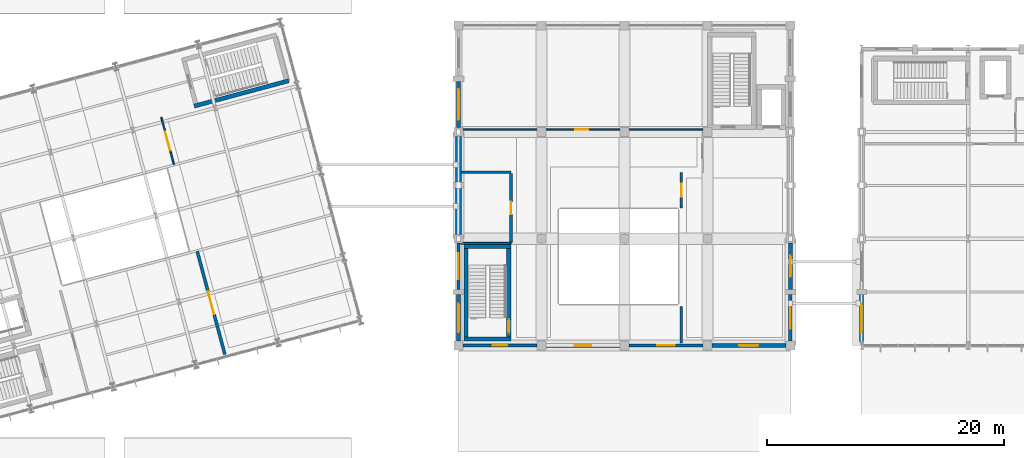
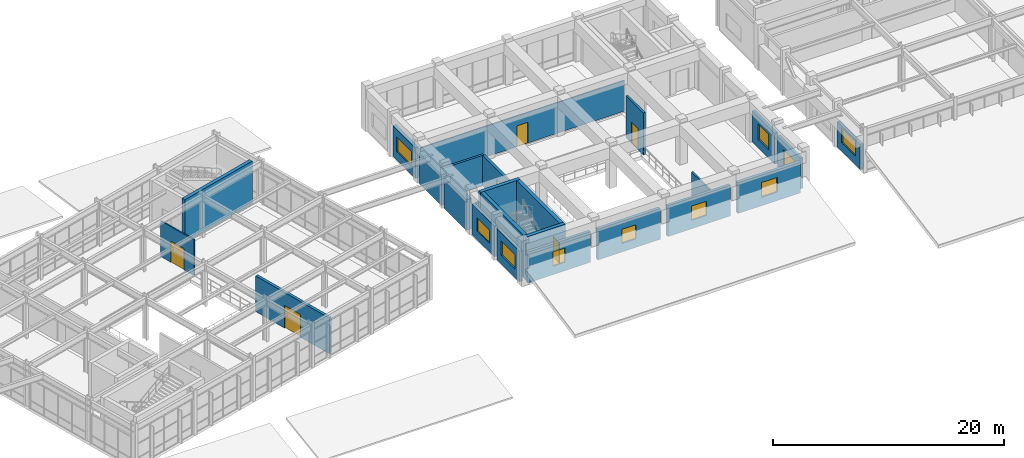
# One storey, part 84 of 104: 25 walls, 10 windows, 6 doors, 16 openings.
"""IFC4 building model written with IfcOpenShell, lengths in metres."""

from ifc_helpers import new_model, si_unit, direction, frame, frame_2d, origin, place, context, subcontext, project, spatial, rectangle, extrude, material, layer, layer_set, type_object, element, fill, save


model = new_model("IFC4")

# Units and contexts
model_context = context("Model", 3, precision=1e-05, world=origin(), true_north=direction((0.0, 1.0)))
body_context = subcontext(model_context, "Body", "Model", "MODEL_VIEW")
ifc_project = project(units=[si_unit("LENGTHUNIT", "METRE"), si_unit("AREAUNIT", "SQUARE_METRE"), si_unit("VOLUMEUNIT", "CUBIC_METRE"), si_unit("PLANEANGLEUNIT", "RADIAN"), si_unit("MASSUNIT", "GRAM", prefix="KILO")], contexts=[model_context])

# Site, building, storey
site_placement = place(None, origin())
site = spatial("IfcSite", under=ifc_project, at=site_placement, CompositionType="ELEMENT")
building_placement = place(site_placement, origin())
building = spatial("IfcBuilding", under=site, at=building_placement, Name="Ventoquebrada Cableway Terminal", CompositionType="ELEMENT")
storey_placement = place(building_placement, frame((0.0, 0.0, 4.800048828125)))
storey = spatial("IfcBuildingStorey", under=building, at=storey_placement, Name="L01", CompositionType="ELEMENT", Elevation=4.800048828125)

# Wall, opening, window
ifc_material_1 = material(Name="Precast architectural concrete C40/50", Category="concrete")
ifc_layer_1 = layer(ifc_material_1, 0.280029296875)
ifc_layer_set_1 = layer_set([ifc_layer_1], Name="Precast architectural concrete C40/50")
wall_type_1 = type_object("IfcWallType", Name="WL-EX1", PredefinedType="SOLIDWALL", material=ifc_layer_set_1)
wall_1_placement = place(storey_placement, frame((95.3701171875, 77.0, 0.0), z_axis=(0.0, 0.0, 1.0), x_axis=(1.0, 0.0, 0.0)))
wall_1 = element("IfcWall", 1, at=wall_1_placement, inside=storey, type_object=wall_type_1, Name="Exterior architectural wall EW-0203", PredefinedType="SOLIDWALL", context=body_context, shape_type="SweptSolid", body=[
    extrude(rectangle(XDim=6.259765625, YDim=0.280029296875, at=frame_2d((3.1298828125, 0.0))), origin(), (0.0, 0.0, 1.0), 3.244873046875),
])
opening_1_placement = place(wall_1_placement, frame((2.530029296875, 0.0, 0.89990234375)))
opening_1 = element("IfcOpeningElement", 2, at=opening_1_placement, cuts=wall_1, Name="Opening WN-101", PredefinedType="OPENING", context=body_context, shape_type="SweptSolid", body=[
    extrude(rectangle(XDim=1.199951171875, YDim=1.5, at=frame_2d((0.60009765625, 0.75))), frame((0.0, 0.14990234375, 0.0), z_axis=(0.0, -1.0, 0.0), x_axis=(1.0, 0.0, 0.0)), (0.0, 0.0, 1.0), 0.300048828125),
])
ifc_material_2 = material(Name="Double low-e laminated safety glazing", Category="glass")
window_type_1 = type_object("IfcWindowType", Name="WT-01", PartitioningType="SINGLE_PANEL", PredefinedType="WINDOW", material=ifc_material_2)
window_1_placement = place(opening_1_placement, origin())
window_1 = element("IfcWindow", 3, at=window_1_placement, inside=storey, type_object=window_type_1, Name="Architectural punched window WN-101", OverallHeight=1.5, OverallWidth=1.199951171875, PartitioningType="SINGLE_PANEL", PredefinedType="WINDOW", context=body_context, shape_type="SweptSolid", body=[
    extrude(rectangle(XDim=1.199951171875, YDim=1.5, at=frame_2d((0.60009765625, 0.75))), frame((0.0, 0.030029296875, 0.0), z_axis=(0.0, -1.0, 0.0), x_axis=(1.0, 0.0, 0.0)), (0.0, 0.0, 1.0), 0.06005859375),
])
fill(opening_1, window_1)

wall_2_placement = place(storey_placement, frame((109.3701171875, 77.0, 0.0), z_axis=(0.0, 0.0, 1.0), x_axis=(1.0, 0.0, 0.0)))
wall_2 = element("IfcWall", 4, at=wall_2_placement, inside=storey, type_object=wall_type_1, Name="Exterior architectural wall EW-0205", PredefinedType="SOLIDWALL", context=body_context, shape_type="SweptSolid", body=[
    extrude(rectangle(XDim=6.259765625, YDim=0.280029296875, at=frame_2d((3.1298828125, 0.0))), origin(), (0.0, 0.0, 1.0), 3.244873046875),
])
opening_2_placement = place(wall_2_placement, frame((2.3798828125, 0.0, 0.89990234375)))
opening_2 = element("IfcOpeningElement", 5, at=opening_2_placement, cuts=wall_2, Name="Opening WN-103", PredefinedType="OPENING", context=body_context, shape_type="SweptSolid", body=[
    extrude(rectangle(XDim=1.5, YDim=1.5, at=frame_2d((0.75, 0.75))), frame((0.0, 0.14990234375, 0.0), z_axis=(0.0, -1.0, 0.0), x_axis=(1.0, 0.0, 0.0)), (0.0, 0.0, 1.0), 0.300048828125),
])
window_type_2 = type_object("IfcWindowType", Name="WT-03", PartitioningType="SINGLE_PANEL", PredefinedType="WINDOW", material=ifc_material_2)
window_2_placement = place(opening_2_placement, origin())
window_2 = element("IfcWindow", 6, at=window_2_placement, inside=storey, type_object=window_type_2, Name="Architectural punched window WN-103", OverallHeight=1.5, OverallWidth=1.5, PartitioningType="SINGLE_PANEL", PredefinedType="WINDOW", context=body_context, shape_type="SweptSolid", body=[
    extrude(rectangle(XDim=1.5, YDim=1.5, at=frame_2d((0.75, 0.75))), frame((0.0, 0.030029296875, 0.0), z_axis=(0.0, -1.0, 0.0), x_axis=(1.0, 0.0, 0.0)), (0.0, 0.0, 1.0), 0.06005859375),
])
fill(opening_2, window_2)

wall_3_placement = place(storey_placement, frame((123.0, 77.3701171875, 0.0), z_axis=(0.0, 0.0, 1.0), x_axis=(0.0, 1.0, 0.0)))
wall_3 = element("IfcWall", 7, at=wall_3_placement, inside=storey, type_object=wall_type_1, Name="Exterior architectural wall EW-0207", PredefinedType="SOLIDWALL", context=body_context, shape_type="SweptSolid", body=[
    extrude(rectangle(XDim=3.909912109375, YDim=0.280029296875, at=frame_2d((1.955078125, 0.0))), origin(), (0.0, 0.0, 1.0), 3.244873046875),
])
opening_3_placement = place(wall_3_placement, frame((1.054931640625, 0.0, 0.89990234375)))
opening_3 = element("IfcOpeningElement", 8, at=opening_3_placement, cuts=wall_3, Name="Opening WN-105", PredefinedType="OPENING", context=body_context, shape_type="SweptSolid", body=[
    extrude(rectangle(XDim=1.800048828125, YDim=1.5, at=frame_2d((0.89990234375, 0.75))), frame((0.0, 0.14990234375, 0.0), z_axis=(0.0, -1.0, 0.0), x_axis=(1.0, 0.0, 0.0)), (0.0, 0.0, 1.0), 0.300048828125),
])
window_type_3 = type_object("IfcWindowType", Name="WT-05", PartitioningType="SINGLE_PANEL", PredefinedType="WINDOW", material=ifc_material_2)
window_3_placement = place(opening_3_placement, origin())
window_3 = element("IfcWindow", 9, at=window_3_placement, inside=storey, type_object=window_type_3, Name="Architectural punched window WN-105", OverallHeight=1.5, OverallWidth=1.800048828125, PartitioningType="SINGLE_PANEL", PredefinedType="WINDOW", context=body_context, shape_type="SweptSolid", body=[
    extrude(rectangle(XDim=1.800048828125, YDim=1.5, at=frame_2d((0.89990234375, 0.75))), frame((0.0, 0.030029296875, 0.0), z_axis=(0.0, -1.0, 0.0), x_axis=(1.0, 0.0, 0.0)), (0.0, 0.0, 1.0), 0.06005859375),
])
fill(opening_3, window_3)

wall_4_placement = place(storey_placement, frame((95.0, 85.6298828125, 0.0), z_axis=(0.0, 0.0, 1.0), x_axis=(0.0, -1.0, 0.0)))
wall_4 = element("IfcWall", 10, at=wall_4_placement, inside=storey, type_object=wall_type_1, Name="Exterior architectural wall EW-0213", PredefinedType="SOLIDWALL", context=body_context, shape_type="SweptSolid", body=[
    extrude(rectangle(XDim=3.909912109375, YDim=0.280029296875, at=frame_2d((1.955078125, 0.0))), origin(), (0.0, 0.0, 1.0), 3.244873046875),
])
opening_4_placement = place(wall_4_placement, frame((0.85498046875, 0.0, 0.89990234375)))
opening_4 = element("IfcOpeningElement", 11, at=opening_4_placement, cuts=wall_4, Name="Opening WN-109", PredefinedType="OPENING", context=body_context, shape_type="SweptSolid", body=[
    extrude(rectangle(XDim=2.199951171875, YDim=1.39990234375, at=frame_2d((1.10009765625, 0.699951171875))), frame((0.0, 0.14990234375, 0.0), z_axis=(0.0, -1.0, 0.0), x_axis=(1.0, 0.0, 0.0)), (0.0, 0.0, 1.0), 0.300048828125),
])
window_type_4 = type_object("IfcWindowType", Name="WT-09", PartitioningType="SINGLE_PANEL", PredefinedType="WINDOW", material=ifc_material_2)
window_4_placement = place(opening_4_placement, origin())
window_4 = element("IfcWindow", 12, at=window_4_placement, inside=storey, type_object=window_type_4, Name="Architectural punched window WN-109", OverallHeight=1.39990234375, OverallWidth=2.199951171875, PartitioningType="SINGLE_PANEL", PredefinedType="WINDOW", context=body_context, shape_type="SweptSolid", body=[
    extrude(rectangle(XDim=2.199951171875, YDim=1.39990234375, at=frame_2d((1.10009765625, 0.699951171875))), frame((0.0, 0.030029296875, 0.0), z_axis=(0.0, -1.0, 0.0), x_axis=(1.0, 0.0, 0.0)), (0.0, 0.0, 1.0), 0.06005859375),
])
fill(opening_4, window_4)

ifc_layer_2 = layer(ifc_material_1, 0.320068359375)
ifc_layer_set_2 = layer_set([ifc_layer_2], Name="Precast architectural concrete C40/50")
wall_type_2 = type_object("IfcWallType", Name="WL-EX2", PredefinedType="SOLIDWALL", material=ifc_layer_set_2)
wall_5_placement = place(storey_placement, frame((102.3701171875, 77.0, 0.0), z_axis=(0.0, 0.0, 1.0), x_axis=(1.0, 0.0, 0.0)))
wall_5 = element("IfcWall", 13, at=wall_5_placement, inside=storey, type_object=wall_type_2, Name="Exterior architectural wall EW-0204", PredefinedType="SOLIDWALL", context=body_context, shape_type="SweptSolid", body=[
    extrude(rectangle(XDim=6.259765625, YDim=0.320068359375, at=frame_2d((3.1298828125, 0.0))), origin(), (0.0, 0.0, 1.0), 3.244873046875),
])
opening_5_placement = place(wall_5_placement, frame((2.429931640625, 0.0, 0.89990234375)))
opening_5 = element("IfcOpeningElement", 14, at=opening_5_placement, cuts=wall_5, Name="Opening WN-102", PredefinedType="OPENING", context=body_context, shape_type="SweptSolid", body=[
    extrude(rectangle(XDim=1.39990234375, YDim=1.5, at=frame_2d((0.699951171875, 0.75))), frame((0.0, 0.169921875, 0.0), z_axis=(0.0, -1.0, 0.0), x_axis=(1.0, 0.0, 0.0)), (0.0, 0.0, 1.0), 0.340087890625),
])
window_type_5 = type_object("IfcWindowType", Name="WT-02", PartitioningType="SINGLE_PANEL", PredefinedType="WINDOW", material=ifc_material_2)
window_5_placement = place(opening_5_placement, origin())
window_5 = element("IfcWindow", 15, at=window_5_placement, inside=storey, type_object=window_type_5, Name="Architectural punched window WN-102", OverallHeight=1.5, OverallWidth=1.39990234375, PartitioningType="SINGLE_PANEL", PredefinedType="WINDOW", context=body_context, shape_type="SweptSolid", body=[
    extrude(rectangle(XDim=1.39990234375, YDim=1.5, at=frame_2d((0.699951171875, 0.75))), frame((0.0, 0.030029296875, 0.0), z_axis=(0.0, -1.0, 0.0), x_axis=(1.0, 0.0, 0.0)), (0.0, 0.0, 1.0), 0.06005859375),
])
fill(opening_5, window_5)

wall_6_placement = place(storey_placement, frame((116.3701171875, 77.0, 0.0), z_axis=(0.0, 0.0, 1.0), x_axis=(1.0, 0.0, 0.0)))
wall_6 = element("IfcWall", 16, at=wall_6_placement, inside=storey, type_object=wall_type_2, Name="Exterior architectural wall EW-0206", PredefinedType="SOLIDWALL", context=body_context, shape_type="SweptSolid", body=[
    extrude(rectangle(XDim=6.259765625, YDim=0.320068359375, at=frame_2d((3.1298828125, 0.0))), origin(), (0.0, 0.0, 1.0), 3.244873046875),
])
opening_6_placement = place(wall_6_placement, frame((2.330078125, 0.0, 0.89990234375)))
opening_6 = element("IfcOpeningElement", 17, at=opening_6_placement, cuts=wall_6, Name="Opening WN-104", PredefinedType="OPENING", context=body_context, shape_type="SweptSolid", body=[
    extrude(rectangle(XDim=1.60009765625, YDim=1.550048828125, at=frame_2d((0.800048828125, 0.77490234375))), frame((0.0, 0.169921875, 0.0), z_axis=(0.0, -1.0, 0.0), x_axis=(1.0, 0.0, 0.0)), (0.0, 0.0, 1.0), 0.340087890625),
])
window_type_6 = type_object("IfcWindowType", Name="WT-04", PartitioningType="SINGLE_PANEL", PredefinedType="WINDOW", material=ifc_material_2)
window_6_placement = place(opening_6_placement, origin())
window_6 = element("IfcWindow", 18, at=window_6_placement, inside=storey, type_object=window_type_6, Name="Architectural punched window WN-104", OverallHeight=1.550048828125, OverallWidth=1.60009765625, PartitioningType="SINGLE_PANEL", PredefinedType="WINDOW", context=body_context, shape_type="SweptSolid", body=[
    extrude(rectangle(XDim=1.60009765625, YDim=1.550048828125, at=frame_2d((0.800048828125, 0.77490234375))), frame((0.0, 0.030029296875, 0.0), z_axis=(0.0, -1.0, 0.0), x_axis=(1.0, 0.0, 0.0)), (0.0, 0.0, 1.0), 0.06005859375),
])
fill(opening_6, window_6)

wall_7_placement = place(storey_placement, frame((123.0, 81.719970703125, 0.0), z_axis=(0.0, 0.0, 1.0), x_axis=(0.0, 1.0, 0.0)))
wall_7 = element("IfcWall", 19, at=wall_7_placement, inside=storey, type_object=wall_type_2, Name="Exterior architectural wall EW-0208", PredefinedType="SOLIDWALL", context=body_context, shape_type="SweptSolid", body=[
    extrude(rectangle(XDim=3.909912109375, YDim=0.320068359375, at=frame_2d((1.955078125, 0.0))), origin(), (0.0, 0.0, 1.0), 3.244873046875),
])
opening_7_placement = place(wall_7_placement, frame((1.054931640625, 0.0, 0.89990234375)))
opening_7 = element("IfcOpeningElement", 20, at=opening_7_placement, cuts=wall_7, Name="Opening WN-106", PredefinedType="OPENING", context=body_context, shape_type="SweptSolid", body=[
    extrude(rectangle(XDim=1.800048828125, YDim=1.60009765625, at=frame_2d((0.89990234375, 0.800048828125))), frame((0.0, 0.169921875, 0.0), z_axis=(0.0, -1.0, 0.0), x_axis=(1.0, 0.0, 0.0)), (0.0, 0.0, 1.0), 0.340087890625),
])
window_type_7 = type_object("IfcWindowType", Name="WT-06", PartitioningType="SINGLE_PANEL", PredefinedType="WINDOW", material=ifc_material_2)
window_7_placement = place(opening_7_placement, origin())
window_7 = element("IfcWindow", 21, at=window_7_placement, inside=storey, type_object=window_type_7, Name="Architectural punched window WN-106", OverallHeight=1.60009765625, OverallWidth=1.800048828125, PartitioningType="SINGLE_PANEL", PredefinedType="WINDOW", context=body_context, shape_type="SweptSolid", body=[
    extrude(rectangle(XDim=1.800048828125, YDim=1.60009765625, at=frame_2d((0.89990234375, 0.800048828125))), frame((0.0, 0.030029296875, 0.0), z_axis=(0.0, -1.0, 0.0), x_axis=(1.0, 0.0, 0.0)), (0.0, 0.0, 1.0), 0.06005859375),
])
fill(opening_7, window_7)

wall_8_placement = place(storey_placement, frame((95.0, 81.280029296875, 0.0), z_axis=(0.0, 0.0, 1.0), x_axis=(0.0, -1.0, 0.0)))
wall_8 = element("IfcWall", 22, at=wall_8_placement, inside=storey, type_object=wall_type_2, Name="Exterior architectural wall EW-0214", PredefinedType="SOLIDWALL", context=body_context, shape_type="SweptSolid", body=[
    extrude(rectangle(XDim=3.909912109375, YDim=0.320068359375, at=frame_2d((1.955078125, 0.0))), origin(), (0.0, 0.0, 1.0), 3.244873046875),
])
opening_8_placement = place(wall_8_placement, frame((0.7548828125, 0.0, 0.89990234375)))
opening_8 = element("IfcOpeningElement", 23, at=opening_8_placement, cuts=wall_8, Name="Opening WN-110", PredefinedType="OPENING", context=body_context, shape_type="SweptSolid", body=[
    extrude(rectangle(XDim=2.39990234375, YDim=1.5, at=frame_2d((1.199951171875, 0.75))), frame((0.0, 0.169921875, 0.0), z_axis=(0.0, -1.0, 0.0), x_axis=(1.0, 0.0, 0.0)), (0.0, 0.0, 1.0), 0.340087890625),
])
window_type_8 = type_object("IfcWindowType", Name="WT-10", PartitioningType="SINGLE_PANEL", PredefinedType="WINDOW", material=ifc_material_2)
window_8_placement = place(opening_8_placement, origin())
window_8 = element("IfcWindow", 24, at=window_8_placement, inside=storey, type_object=window_type_8, Name="Architectural punched window WN-110", OverallHeight=1.5, OverallWidth=2.39990234375, PartitioningType="SINGLE_PANEL", PredefinedType="WINDOW", context=body_context, shape_type="SweptSolid", body=[
    extrude(rectangle(XDim=2.39990234375, YDim=1.5, at=frame_2d((1.199951171875, 0.75))), frame((0.0, 0.030029296875, 0.0), z_axis=(0.0, -1.0, 0.0), x_axis=(1.0, 0.0, 0.0)), (0.0, 0.0, 1.0), 0.06005859375),
])
fill(opening_8, window_8)

wall_9_placement = place(storey_placement, frame((95.0, 99.280029296875, 0.0), z_axis=(0.0, 0.0, 1.0), x_axis=(0.0, -1.0, 0.0)))
wall_9 = element("IfcWall", 25, at=wall_9_placement, inside=storey, type_object=wall_type_2, Name="Exterior architectural wall EW-0218", PredefinedType="SOLIDWALL", context=body_context, shape_type="SweptSolid", body=[
    extrude(rectangle(XDim=3.909912109375, YDim=0.320068359375, at=frame_2d((1.955078125, 0.0))), origin(), (0.0, 0.0, 1.0), 3.244873046875),
])
opening_9_placement = place(wall_9_placement, frame((0.655029296875, 0.0, 0.89990234375)))
opening_9 = element("IfcOpeningElement", 26, at=opening_9_placement, cuts=wall_9, Name="Opening WN-112", PredefinedType="OPENING", context=body_context, shape_type="SweptSolid", body=[
    extrude(rectangle(XDim=2.60009765625, YDim=1.550048828125, at=frame_2d((1.300048828125, 0.77490234375))), frame((0.0, 0.169921875, 0.0), z_axis=(0.0, -1.0, 0.0), x_axis=(1.0, 0.0, 0.0)), (0.0, 0.0, 1.0), 0.340087890625),
])
window_type_9 = type_object("IfcWindowType", Name="WT-12", PartitioningType="SINGLE_PANEL", PredefinedType="WINDOW", material=ifc_material_2)
window_9_placement = place(opening_9_placement, origin())
window_9 = element("IfcWindow", 27, at=window_9_placement, inside=storey, type_object=window_type_9, Name="Architectural punched window WN-112", OverallHeight=1.550048828125, OverallWidth=2.60009765625, PartitioningType="SINGLE_PANEL", PredefinedType="WINDOW", context=body_context, shape_type="SweptSolid", body=[
    extrude(rectangle(XDim=2.60009765625, YDim=1.550048828125, at=frame_2d((1.300048828125, 0.77490234375))), frame((0.0, 0.030029296875, 0.0), z_axis=(0.0, -1.0, 0.0), x_axis=(1.0, 0.0, 0.0)), (0.0, 0.0, 1.0), 0.06005859375),
])
fill(opening_9, window_9)

wall_10_placement = place(storey_placement, frame((129.0, 81.304931640625, 0.0), z_axis=(0.0, 0.0, 1.0), x_axis=(0.0, -1.0, 0.0)))
wall_10 = element("IfcWall", 28, at=wall_10_placement, inside=storey, type_object=wall_type_2, Name="Exterior architectural wall EW-0269", PredefinedType="SOLIDWALL", context=body_context, shape_type="SweptSolid", body=[
    extrude(rectangle(XDim=4.00390625, YDim=0.320068359375, at=frame_2d((2.001953125, 0.0))), origin(), (0.0, 0.0, 1.0), 2.64794921875),
])
opening_10_placement = place(wall_10_placement, frame((0.802001953125, 0.0, 0.89990234375)))
opening_10 = element("IfcOpeningElement", 29, at=opening_10_placement, cuts=wall_10, Name="Opening WN-151", PredefinedType="OPENING", context=body_context, shape_type="SweptSolid", body=[
    extrude(rectangle(XDim=2.39990234375, YDim=1.550048828125, at=frame_2d((1.199951171875, 0.77490234375))), frame((0.0, 0.169921875, 0.0), z_axis=(0.0, -1.0, 0.0), x_axis=(1.0, 0.0, 0.0)), (0.0, 0.0, 1.0), 0.340087890625),
])
window_type_10 = type_object("IfcWindowType", Name="WT-11", PartitioningType="SINGLE_PANEL", PredefinedType="WINDOW", material=ifc_material_2)
window_10_placement = place(opening_10_placement, origin())
window_10 = element("IfcWindow", 30, at=window_10_placement, inside=storey, type_object=window_type_10, Name="Architectural punched window WN-151", OverallHeight=1.550048828125, OverallWidth=2.39990234375, PartitioningType="SINGLE_PANEL", PredefinedType="WINDOW", context=body_context, shape_type="SweptSolid", body=[
    extrude(rectangle(XDim=2.39990234375, YDim=1.550048828125, at=frame_2d((1.199951171875, 0.77490234375))), frame((0.0, 0.030029296875, 0.0), z_axis=(0.0, -1.0, 0.0), x_axis=(1.0, 0.0, 0.0)), (0.0, 0.0, 1.0), 0.06005859375),
])
fill(opening_10, window_10)

# Wall, opening, door
ifc_material_3 = material(Name="Fire-rated gypsum partition board on steel framing", Category="steel")
ifc_layer_3 = layer(ifc_material_3, 0.1201171875)
ifc_layer_set_3 = layer_set([ifc_layer_3], Name="Fire-rated gypsum partition board on steel framing")
wall_type_3 = type_object("IfcWallType", Name="WL-PT1", PredefinedType="PARTITIONING", material=ifc_layer_set_3)
wall_11_placement = place(storey_placement, frame((95.199951171875, 95.199951171875, 0.0), z_axis=(0.0, 0.0, 1.0), x_axis=(1.0, 0.0, 0.0)))
wall_11 = element("IfcWall", 31, at=wall_11_placement, inside=storey, type_object=wall_type_3, Name="Interior partition IW-0371", PredefinedType="PARTITIONING", context=body_context, shape_type="SweptSolid", body=[
    extrude(rectangle(XDim=20.400146484375, YDim=0.1201171875, at=frame_2d((10.2001953125, 0.0))), origin(), (0.0, 0.0, 1.0), 3.23486328125),
])
opening_11_placement = place(wall_11_placement, frame((9.64990234375, 0.0, 0.0)))
opening_11 = element("IfcOpeningElement", 32, at=opening_11_placement, cuts=wall_11, Name="Opening D-100", PredefinedType="OPENING", context=body_context, shape_type="SweptSolid", body=[
    extrude(rectangle(XDim=1.10009765625, YDim=2.199951171875, at=frame_2d((0.550048828125, 1.10009765625))), frame((0.0, 0.070068359375, 0.0), z_axis=(0.0, -1.0, 0.0), x_axis=(1.0, 0.0, 0.0)), (0.0, 0.0, 1.0), 0.14013671875),
])
ifc_material_4 = material(Name="Galvanized fire-rated steel door assembly", Category="steel")
door_type_1 = type_object("IfcDoorType", Name="DT-IN05", OperationType="SINGLE_SWING_LEFT", PredefinedType="DOOR", material=ifc_material_4)
door_1_placement = place(opening_11_placement, origin())
door_1 = element("IfcDoor", 33, at=door_1_placement, inside=storey, type_object=door_type_1, Name="VFD Control Room Door D-100", OperationType="SINGLE_SWING_LEFT", OverallHeight=2.199951171875, OverallWidth=1.10009765625, PredefinedType="DOOR", context=body_context, shape_type="SweptSolid", body=[
    extrude(rectangle(XDim=1.10009765625, YDim=2.199951171875, at=frame_2d((0.550048828125, 1.10009765625))), frame((0.0, 0.02490234375, 0.0), z_axis=(0.0, -1.0, 0.0), x_axis=(1.0, 0.0, 0.0)), (0.0, 0.0, 1.0), 0.050048828125),
])
fill(opening_11, door_1)

ifc_material_5 = material(Name="Autoclaved aerated concrete blockwork", Category="masonry")
ifc_layer_4 = layer(ifc_material_5, 0.2451171875)
ifc_layer_set_4 = layer_set([ifc_layer_4], Name="Autoclaved aerated concrete blockwork")
wall_type_4 = type_object("IfcWallType", Name="WL-PT10", PredefinedType="PARTITIONING", material=ifc_layer_set_4)
wall_12_placement = place(storey_placement, frame((99.449951171875, 85.679931640625, 0.0), z_axis=(0.0, 0.0, 1.0), x_axis=(0.0, 1.0, 0.0)))
wall_12 = element("IfcWall", 34, at=wall_12_placement, inside=storey, type_object=wall_type_4, Name="Interior partition IW-0370", PredefinedType="PARTITIONING", context=body_context, shape_type="SweptSolid", body=[
    extrude(rectangle(XDim=5.81396484375, YDim=0.2451171875, at=frame_2d((2.906982421875, 0.0))), origin(), (0.0, 0.0, 1.0), 3.23486328125),
])
opening_12_placement = place(wall_12_placement, frame((2.382080078125, 0.0, 0.0)))
opening_12 = element("IfcOpeningElement", 35, at=opening_12_placement, cuts=wall_12, Name="Opening D-099", PredefinedType="OPENING", context=body_context, shape_type="SweptSolid", body=[
    extrude(rectangle(XDim=1.050048828125, YDim=2.14990234375, at=frame_2d((0.52490234375, 1.074951171875))), frame((0.0, 0.132568359375, 0.0), z_axis=(0.0, -1.0, 0.0), x_axis=(1.0, 0.0, 0.0)), (0.0, 0.0, 1.0), 0.26513671875),
])
ifc_material_6 = material(Name="Fire-retardant oak acoustic door leaf")
door_type_2 = type_object("IfcDoorType", Name="DT-IN03", OperationType="SINGLE_SWING_LEFT", PredefinedType="DOOR", material=ifc_material_6)
door_2_placement = place(opening_12_placement, origin())
door_2 = element("IfcDoor", 36, at=door_2_placement, inside=storey, type_object=door_type_2, Name="L01 Technical Staff WC Door D-099", OperationType="SINGLE_SWING_RIGHT", OverallHeight=2.14990234375, OverallWidth=1.050048828125, PredefinedType="DOOR", context=body_context, shape_type="SweptSolid", body=[
    extrude(rectangle(XDim=1.050048828125, YDim=2.14990234375, at=frame_2d((0.52490234375, 1.074951171875))), frame((0.0, 0.02490234375, 0.0), z_axis=(0.0, -1.0, 0.0), x_axis=(1.0, 0.0, 0.0)), (0.0, 0.0, 1.0), 0.050048828125),
])
fill(opening_12, door_2)

# Wall
ifc_layer_5 = layer(ifc_material_3, 0.179931640625)
ifc_layer_set_5 = layer_set([ifc_layer_5], Name="Fire-rated gypsum partition board on steel framing")
wall_type_5 = type_object("IfcWallType", Name="WL-PT3", PredefinedType="STANDARD", material=ifc_layer_set_5)
wall_13_placement = place(storey_placement, frame((113.800048828125, 77.199951171875, 0.0), z_axis=(0.0, 0.0, 1.0), x_axis=(0.0, 1.0, 0.0)))
element("IfcWall", 37, at=wall_13_placement, inside=storey, type_object=wall_type_5, Name="Interior partition IW-0373", PredefinedType="STANDARD", context=body_context, shape_type="SweptSolid", body=[
    extrude(rectangle(XDim=3.10009765625, YDim=0.179931640625, at=frame_2d((1.550048828125, 0.0))), origin(), (0.0, 0.0, 1.0), 3.23486328125),
])

# Wall, opening, door
ifc_layer_6 = layer(ifc_material_5, 0.199951171875)
ifc_layer_set_6 = layer_set([ifc_layer_6], Name="Autoclaved aerated concrete blockwork")
wall_type_6 = type_object("IfcWallType", Name="WL-PT4", PredefinedType="PARTITIONING", material=ifc_layer_set_6)
wall_14_placement = place(storey_placement, frame((113.800048828125, 88.60009765625, 0.0), z_axis=(0.0, 0.0, 1.0), x_axis=(0.0, 1.0, 0.0)))
wall_14 = element("IfcWall", 38, at=wall_14_placement, inside=storey, type_object=wall_type_6, Name="Interior partition IW-0374", PredefinedType="PARTITIONING", context=body_context, shape_type="SweptSolid", body=[
    extrude(rectangle(XDim=3.0, YDim=0.199951171875, at=frame_2d((1.5, 0.0))), origin(), (0.0, 0.0, 1.0), 4.43505859375),
])
opening_13_placement = place(wall_14_placement, frame((0.949951171875, 0.0, 0.0)))
opening_13 = element("IfcOpeningElement", 39, at=opening_13_placement, cuts=wall_14, Name="Opening D-102", PredefinedType="OPENING", context=body_context, shape_type="SweptSolid", body=[
    extrude(rectangle(XDim=1.10009765625, YDim=2.199951171875, at=frame_2d((0.550048828125, 1.10009765625))), frame((0.0, 0.10986328125, 0.0), z_axis=(0.0, -1.0, 0.0), x_axis=(1.0, 0.0, 0.0)), (0.0, 0.0, 1.0), 0.219970703125),
])
door_type_3 = type_object("IfcDoorType", Name="DT-IN04", OperationType="SINGLE_SWING_RIGHT", PredefinedType="DOOR", material=ifc_material_4)
door_3_placement = place(opening_13_placement, origin())
door_3 = element("IfcDoor", 40, at=door_3_placement, inside=storey, type_object=door_type_3, Name="Drive Viewing Gallery Door D-102", OperationType="SINGLE_SWING_LEFT", OverallHeight=2.199951171875, OverallWidth=1.10009765625, PredefinedType="DOOR", context=body_context, shape_type="SweptSolid", body=[
    extrude(rectangle(XDim=1.10009765625, YDim=2.199951171875, at=frame_2d((0.550048828125, 1.10009765625))), frame((0.0, 0.02490234375, 0.0), z_axis=(0.0, -1.0, 0.0), x_axis=(1.0, 0.0, 0.0)), (0.0, 0.0, 1.0), 0.050048828125),
])
fill(opening_13, door_3)

ifc_layer_7 = layer(ifc_material_5, 0.260009765625)
ifc_layer_set_7 = layer_set([ifc_layer_7], Name="Autoclaved aerated concrete blockwork")
wall_type_7 = type_object("IfcWallType", Name="WL-PT6", PredefinedType="PARTITIONING", material=ifc_layer_set_7)
wall_15_placement = place(storey_placement, frame((75.302001953125, 76.240966796875, 0.0), z_axis=(0.0, 0.0, 1.0), x_axis=(-0.258898342071, 0.965904575242, 0.0)))
wall_15 = element("IfcWall", 41, at=wall_15_placement, inside=storey, type_object=wall_type_7, Name="Interior partition IW-0366", PredefinedType="PARTITIONING", context=body_context, shape_type="SweptSolid", body=[
    extrude(rectangle(XDim=9.0, YDim=0.260009765625, at=frame_2d((4.5, 0.0))), origin(), (0.0, 0.0, 1.0), 3.77197265625),
])
opening_14_placement = place(wall_15_placement, frame((3.5, 0.0, 0.0)))
opening_14 = element("IfcOpeningElement", 42, at=opening_14_placement, cuts=wall_15, Name="Opening D-097", PredefinedType="OPENING", context=body_context, shape_type="SweptSolid", body=[
    extrude(rectangle(XDim=2.0, YDim=2.39990234375, at=frame_2d((1.0, 1.199951171875))), frame((0.0, 0.139892578125, 0.0), z_axis=(0.0, -1.0, 0.0), x_axis=(1.0, 0.0, 0.0)), (0.0, 0.0, 1.0), 0.280029296875),
])
door_type_4 = type_object("IfcDoorType", Name="DT-IN09", OperationType="DOUBLE_DOOR_SINGLE_SWING", PredefinedType="DOOR", material=ifc_material_4)
door_4_placement = place(opening_14_placement, origin())
door_4 = element("IfcDoor", 43, at=door_4_placement, inside=storey, type_object=door_type_4, Name="Transfer Gallery Concourse Door D-097", OperationType="DOUBLE_DOOR_SINGLE_SWING", OverallHeight=2.39990234375, OverallWidth=2.0, PredefinedType="DOOR", context=body_context, shape_type="SweptSolid", body=[
    extrude(rectangle(XDim=2.0, YDim=2.39990234375, at=frame_2d((1.0, 1.199951171875))), frame((0.0, 0.02490234375, 0.0), z_axis=(0.0, -1.0, 0.0), x_axis=(1.0, 0.0, 0.0)), (0.0, 0.0, 1.0), 0.050048828125),
])
fill(opening_14, door_4)

ifc_layer_8 = layer(ifc_material_3, 0.135009765625)
ifc_layer_set_8 = layer_set([ifc_layer_8], Name="Fire-rated gypsum partition board on steel framing")
wall_type_8 = type_object("IfcWallType", Name="WL-PT7", PredefinedType="PARTITIONING", material=ifc_layer_set_8)
wall_16_placement = place(storey_placement, frame((71.0048828125, 92.27490234375, 0.0), z_axis=(0.0, 0.0, 1.0), x_axis=(-0.258741046173, 0.965946722664, 0.0)))
wall_16 = element("IfcWall", 44, at=wall_16_placement, inside=storey, type_object=wall_type_8, Name="Interior partition IW-0367", PredefinedType="PARTITIONING", context=body_context, shape_type="SweptSolid", body=[
    extrude(rectangle(XDim=4.099853515625, YDim=0.135009765625, at=frame_2d((2.0498046875, 0.0))), origin(), (0.0, 0.0, 1.0), 3.77197265625),
])
opening_15_placement = place(wall_16_placement, frame((1.25, 0.0, 0.0)))
opening_15 = element("IfcOpeningElement", 45, at=opening_15_placement, cuts=wall_16, Name="Opening D-098", PredefinedType="OPENING", context=body_context, shape_type="SweptSolid", body=[
    extrude(rectangle(XDim=1.60009765625, YDim=2.25, at=frame_2d((0.800048828125, 1.125))), frame((0.0, 0.077392578125, 0.0), z_axis=(0.0, -1.0, 0.0), x_axis=(1.0, 0.0, 0.0)), (0.0, 0.0, 1.0), 0.155029296875),
])
door_type_5 = type_object("IfcDoorType", Name="DT-IN07", OperationType="DOUBLE_SWING_LEFT", PredefinedType="DOOR", material=ifc_material_4)
door_5_placement = place(opening_15_placement, origin())
door_5 = element("IfcDoor", 46, at=door_5_placement, inside=storey, type_object=door_type_5, Name="Transfer Gallery North Door D-098", OperationType="DOUBLE_SWING_LEFT", OverallHeight=2.25, OverallWidth=1.60009765625, PredefinedType="DOOR", context=body_context, shape_type="SweptSolid", body=[
    extrude(rectangle(XDim=1.60009765625, YDim=2.25, at=frame_2d((0.800048828125, 1.125))), frame((0.0, 0.02490234375, 0.0), z_axis=(0.0, -1.0, 0.0), x_axis=(1.0, 0.0, 0.0)), (0.0, 0.0, 1.0), 0.050048828125),
])
fill(opening_15, door_5)

# Walls
ifc_layer_9 = layer(ifc_material_3, 0.1650390625)
ifc_layer_set_9 = layer_set([ifc_layer_9], Name="Fire-rated gypsum partition board on steel framing")
wall_type_9 = type_object("IfcWallType", Name="WL-PT8", PredefinedType="PARTITIONING", material=ifc_layer_set_9)
wall_17_placement = place(storey_placement, frame((95.199951171875, 85.60009765625, 0.0), z_axis=(0.0, 0.0, 1.0), x_axis=(1.0, 0.0, 0.0)))
element("IfcWall", 47, at=wall_17_placement, inside=storey, type_object=wall_type_9, Name="Interior partition IW-0368", PredefinedType="PARTITIONING", context=body_context, shape_type="SweptSolid", body=[
    extrude(rectangle(XDim=4.25, YDim=0.1650390625, at=frame_2d((2.125, 0.0))), origin(), (0.0, 0.0, 1.0), 3.23486328125),
])
ifc_layer_10 = layer(ifc_material_5, 0.215087890625)
ifc_layer_set_10 = layer_set([ifc_layer_10], Name="Autoclaved aerated concrete blockwork")
wall_type_10 = type_object("IfcWallType", Name="WL-PT9", PredefinedType="PARTITIONING", material=ifc_layer_set_10)
wall_18_placement = place(storey_placement, frame((95.248046875, 91.60009765625, 0.0), z_axis=(0.0, 0.0, 1.0), x_axis=(1.0, 0.0, 0.0)))
element("IfcWall", 48, at=wall_18_placement, inside=storey, type_object=wall_type_10, Name="Interior partition IW-0369", PredefinedType="PARTITIONING", context=body_context, shape_type="SweptSolid", body=[
    extrude(rectangle(XDim=4.201904296875, YDim=0.215087890625, at=frame_2d((2.10107421875, 0.0))), origin(), (0.0, 0.0, 1.0), 3.23486328125),
])
ifc_material_7 = material(Name="Concrete C40/50", Category="concrete")
ifc_layer_11 = layer(ifc_material_7, 0.35009765625)
ifc_layer_set_11 = layer_set([ifc_layer_11], Name="Concrete C40/50")
wall_type_11 = type_object("IfcWallType", Name="WL-SH1", PredefinedType="SHEAR", material=ifc_layer_set_11)
wall_19_placement = place(storey_placement, frame((95.47509765625, 77.550048828125, 0.0), z_axis=(0.0, 0.0, 1.0), x_axis=(1.0, 0.0, 0.0)))
element("IfcWall", 49, at=wall_19_placement, inside=storey, type_object=wall_type_11, Name="Core shear wall IW-0237", PredefinedType="SHEAR", context=body_context, shape_type="SweptSolid", body=[
    extrude(rectangle(XDim=3.949951171875, YDim=0.35009765625, at=frame_2d((1.97509765625, 0.0))), origin(), (0.0, 0.0, 1.0), 4.489990234375),
])

# Wall, opening, door
wall_20_placement = place(storey_placement, frame((99.25, 77.72509765625, 0.0), z_axis=(0.0, 0.0, 1.0), x_axis=(0.0, 1.0, 0.0)))
wall_20 = element("IfcWall", 50, at=wall_20_placement, inside=storey, type_object=wall_type_11, Name="Core shear wall IW-0238", PredefinedType="SHEAR", context=body_context, shape_type="SweptSolid", body=[
    extrude(rectangle(XDim=7.449951171875, YDim=0.35009765625, at=frame_2d((3.72509765625, 0.0))), origin(), (0.0, 0.0, 1.0), 4.489990234375),
])
opening_16_placement = place(wall_20_placement, frame((0.35009765625, 0.0, 0.0)))
opening_16 = element("IfcOpeningElement", 51, at=opening_16_placement, cuts=wall_20, Name="Opening D-034", PredefinedType="OPENING", context=body_context, shape_type="SweptSolid", body=[
    extrude(rectangle(XDim=1.10009765625, YDim=2.199951171875, at=frame_2d((0.550048828125, 1.10009765625))), frame((0.0, 0.18505859375, 0.0), z_axis=(0.0, -1.0, 0.0), x_axis=(1.0, 0.0, 0.0)), (0.0, 0.0, 1.0), 0.3701171875),
])
door_6_placement = place(opening_16_placement, origin())
door_6 = element("IfcDoor", 52, at=door_6_placement, inside=storey, type_object=door_type_1, Name="Core V2-SEC stair fire door D-034", OperationType="SINGLE_SWING_LEFT", OverallHeight=2.199951171875, OverallWidth=1.10009765625, PredefinedType="DOOR", context=body_context, shape_type="SweptSolid", body=[
    extrude(rectangle(XDim=1.10009765625, YDim=2.199951171875, at=frame_2d((0.550048828125, 1.10009765625))), frame((0.0, 0.02490234375, 0.0), z_axis=(0.0, -1.0, 0.0), x_axis=(1.0, 0.0, 0.0)), (0.0, 0.0, 1.0), 0.050048828125),
])
fill(opening_16, door_6)

# Walls
wall_21_placement = place(storey_placement, frame((99.425048828125, 85.35009765625, 0.0), z_axis=(0.0, 0.0, 1.0), x_axis=(-1.0, 0.0, 0.0)))
element("IfcWall", 53, at=wall_21_placement, inside=storey, type_object=wall_type_11, Name="Core shear wall IW-0239", PredefinedType="SHEAR", context=body_context, shape_type="SweptSolid", body=[
    extrude(rectangle(XDim=3.949951171875, YDim=0.35009765625, at=frame_2d((1.97509765625, 0.0))), origin(), (0.0, 0.0, 1.0), 4.489990234375),
])
wall_22_placement = place(storey_placement, frame((95.64990234375, 85.175048828125, 0.0), z_axis=(0.0, 0.0, 1.0), x_axis=(0.0, -1.0, 0.0)))
element("IfcWall", 54, at=wall_22_placement, inside=storey, type_object=wall_type_11, Name="Core shear wall IW-0240", PredefinedType="SHEAR", context=body_context, shape_type="SweptSolid", body=[
    extrude(rectangle(XDim=7.449951171875, YDim=0.35009765625, at=frame_2d((3.72509765625, 0.0))), origin(), (0.0, 0.0, 1.0), 4.489990234375),
])
wall_23_placement = place(storey_placement, frame((72.718017578125, 97.18603515625, 0.0), z_axis=(0.0, 0.0, 1.0), x_axis=(0.965926253902, 0.258817449225, 0.0)))
element("IfcWall", 55, at=wall_23_placement, inside=storey, type_object=wall_type_11, Name="Core shear wall IW-0285", PredefinedType="SHEAR", context=body_context, shape_type="SweptSolid", body=[
    extrude(rectangle(XDim=8.2490234375, YDim=0.35009765625, at=frame_2d((4.12451171875, 0.0))), origin(), (0.0, 0.0, 1.0), 4.489990234375),
])
ifc_material_8 = material(Name="Concrete C45/55", Category="concrete")
ifc_layer_12 = layer(ifc_material_8, 0.5)
ifc_layer_set_12 = layer_set([ifc_layer_12], Name="Concrete C45/55")
wall_type_12 = type_object("IfcWallType", Name="WL-SH2", PredefinedType="SHEAR", material=ifc_layer_set_12)
for number, where, z_axis, x_axis, name in (
    (56, (95.0, 94.6298828125, 0.0), (0.0, 0.0, 1.0), (0.0, -1.0, 0.0), "Exterior architectural wall EW-0215"),
    (57, (95.0, 90.280029296875, 0.0), (0.0, 0.0, 1.0), (0.0, -1.0, 0.0), "Exterior architectural wall EW-0216"),
):
    element("IfcWall", number, at=place(storey_placement, frame(where, z_axis=z_axis, x_axis=x_axis)), inside=storey, type_object=wall_type_12, Name=name, PredefinedType="SHEAR", context=body_context, shape_type="SweptSolid", body=[
        extrude(rectangle(XDim=3.909912109375, YDim=0.5, at=frame_2d((1.955078125, 0.0))), origin(), (0.0, 0.0, 1.0), 3.244873046875),
    ])

save(model, "model.ifc")
